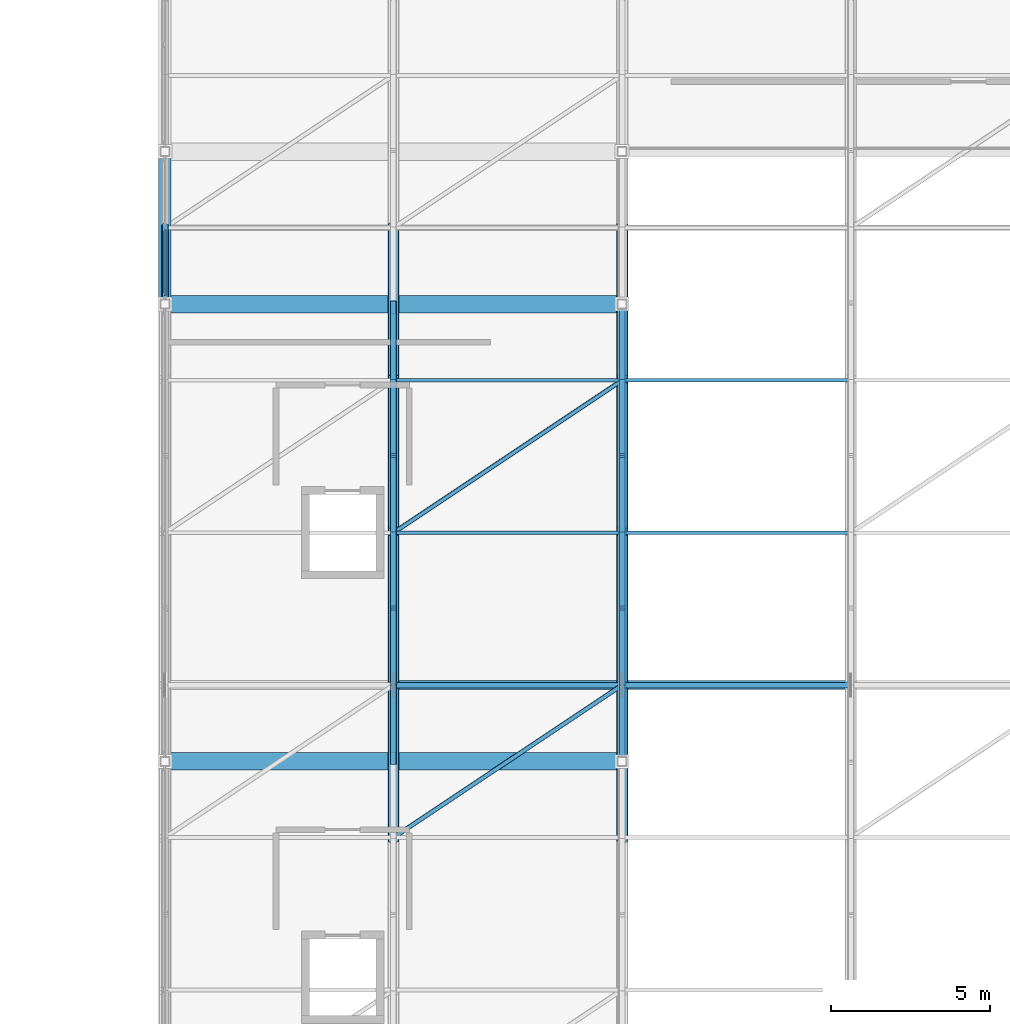
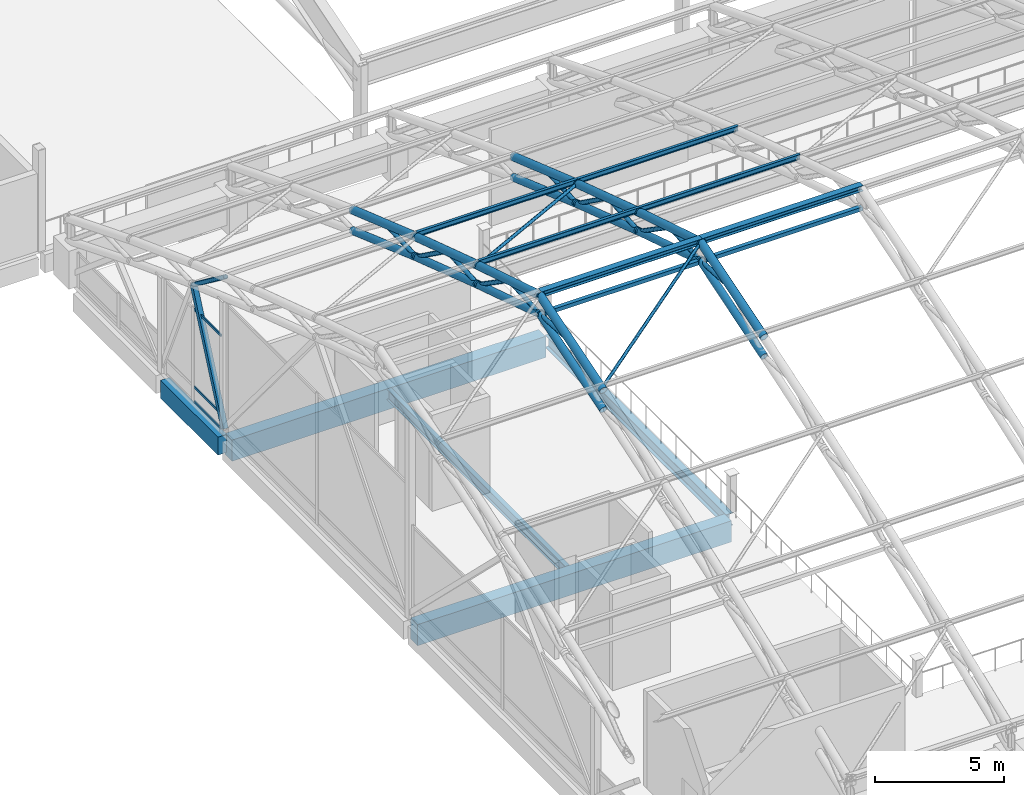
# One storey, part 47 of 116: 43 members, 5 beams, 1 element without a shape of its own.
"""IFC4 building model written with IfcOpenShell, lengths in metres."""

from ifc_helpers import new_model, si_unit, direction, frame, origin, origin_2d, place, context, subcontext, project, spatial, rectangle, hollow_rectangle, hollow_circle, i_section, extrude, material, material_profile, profile_set, type_object, element, aggregate, save


model = new_model("IFC4")

# Units and contexts
model_context = context("Model", 3, precision=1e-05, world=origin(), true_north=direction((0.0, 1.0)))
body_context = subcontext(model_context, "Body", "Model", "MODEL_VIEW")
ifc_project = project(units=[si_unit("LENGTHUNIT", "METRE"), si_unit("AREAUNIT", "SQUARE_METRE"), si_unit("VOLUMEUNIT", "CUBIC_METRE"), si_unit("PLANEANGLEUNIT", "RADIAN"), si_unit("MASSUNIT", "GRAM", prefix="KILO")], contexts=[model_context])

# Site, building, storey
site_placement = place(None, origin())
site = spatial("IfcSite", under=ifc_project, at=site_placement, CompositionType="ELEMENT")
building_placement = place(site_placement, origin())
building = spatial("IfcBuilding", under=site, at=building_placement, Name="Cendralis Lancet Convention Centre", CompositionType="ELEMENT")
storey_placement = place(building_placement, frame((0.0, 0.0, 15.0)))
storey = spatial("IfcBuildingStorey", under=building, at=storey_placement, Name="L03", CompositionType="ELEMENT", Elevation=15.0)

# Curtain wall, members
ifc_material_1 = material(Name="Anodised bronze architectural aluminium", Category="aluminium")
curtain_wall_type = type_object("IfcCurtainWallType", Name="ARC-CW-PL02", PredefinedType="USERDEFINED", material=ifc_material_1)
curtain_wall_placement = place(storey_placement, origin())
curtain_wall = element("IfcCurtainWall", 1, at=curtain_wall_placement, inside=storey, type_object=curtain_wall_type, Name="L03 Curtain Wall CW-PL2 #139", ObjectType="CURTAIN WALL", PredefinedType="USERDEFINED")
ifc_material_profile_1 = material_profile(ifc_material_1, hollow_rectangle(XDim=0.06005859375, YDim=0.1201171875, WallThickness=0.00390625, at=origin_2d()), Name="AL-TRAN 60x120x4.0")
ifc_profile_set_1 = profile_set([ifc_material_profile_1], Name="Anodised bronze architectural aluminium")
member_type_1 = type_object("IfcMemberType", Name="ARC-CW-TR01", PredefinedType="USERDEFINED", material=ifc_profile_set_1)
member_1_placement = place(storey_placement, frame((139.199951171875, 79.469970703125, 0.06005859375), z_axis=(0.0, 1.0, 0.0), x_axis=(-1.0, 0.0, 0.0)))
member_1 = element("IfcMember", 2, at=member_1_placement, type_object=member_type_1, Name="Transom CW2-CW-PL2-L03-139-T0BOT", ObjectType="TRANSOM", PredefinedType="USERDEFINED", context=body_context, shape_type="SweptSolid", body=[
    extrude(hollow_rectangle(XDim=0.06005859375, YDim=0.1201171875, WallThickness=0.00390625, at=origin_2d()), origin(), (0.0, 0.0, 1.0), 2.06005859375),
])
member_2_placement = place(storey_placement, frame((139.199951171875, 79.469970703125, 0.75), z_axis=(0.0, 1.0, 0.0), x_axis=(-1.0, 0.0, 0.0)))
member_2 = element("IfcMember", 3, at=member_2_placement, type_object=member_type_1, Name="Transom CW2-CW-PL2-L03-139-T0MID", ObjectType="TRANSOM", PredefinedType="USERDEFINED", context=body_context, shape_type="SweptSolid", body=[
    extrude(hollow_rectangle(XDim=0.06005859375, YDim=0.1201171875, WallThickness=0.00390625, at=origin_2d()), origin(), (0.0, 0.0, 1.0), 2.06005859375),
])
member_3_placement = place(storey_placement, frame((139.199951171875, 79.469970703125, 4.43701171875), z_axis=(0.0, 1.0, 0.0), x_axis=(-1.0, 0.0, 0.0)))
member_3 = element("IfcMember", 4, at=member_3_placement, type_object=member_type_1, Name="Transom CW2-CW-PL2-L03-139-T0TOP", ObjectType="TRANSOM", PredefinedType="USERDEFINED", context=body_context, shape_type="SweptSolid", body=[
    extrude(hollow_rectangle(XDim=0.06005859375, YDim=0.1201171875, WallThickness=0.00390625, at=origin_2d()), origin(), (0.0, 0.0, 1.0), 2.06005859375),
])
aggregate(curtain_wall, [member_1, member_2, member_3])

# Beams
ifc_material_2 = material(Name="Concrete G40 (C40/50)", Category="concrete")
ifc_material_profile_2 = material_profile(ifc_material_2, rectangle(XDim=0.550048828125, YDim=1.0, at=origin_2d()), Name="RCB 550x1000")
ifc_profile_set_2 = profile_set([ifc_material_profile_2], Name="Concrete G40 (C40/50)")
beam_type_1 = type_object("IfcBeamType", Name="STR-BM-BG05", PredefinedType="BEAM", material=ifc_profile_set_2)
for number, where, z_axis, x_axis, name in (
    (5, (139.375, 64.800048828125, -0.760009765625), (1.0, 0.0, 0.0), (0.0, 1.0, 0.0), "L03 Beam BG05 #1525"),
    (6, (139.375, 79.199951171875, -0.760009765625), (1.0, 0.0, 0.0), (0.0, 1.0, 0.0), "L03 Beam BG05 #1527"),
):
    element("IfcBeam", number, at=place(storey_placement, frame(where, z_axis=z_axis, x_axis=x_axis)), inside=storey, type_object=beam_type_1, Name=name, PredefinedType="BEAM", context=body_context, shape_type="SweptSolid", body=[
        extrude(rectangle(XDim=0.550048828125, YDim=1.0, at=origin_2d()), origin(), (0.0, 0.0, 1.0), 14.050048828125),
    ])
ifc_material_3 = material(Name="Steel S355", Category="steel")
ifc_material_profile_3 = material_profile(ifc_material_3, i_section(OverallWidth=0.300048828125, OverallDepth=0.590087890625, WebThickness=0.012939453125, FlangeThickness=0.02490234375, FilletRadius=0.027099609375, at=origin_2d()), Name="HEA 600")
ifc_profile_set_3 = profile_set([ifc_material_profile_3], Name="Steel S355")
beam_type_2 = type_object("IfcBeamType", Name="STR-BM-SG10", PredefinedType="BEAM", material=ifc_profile_set_3)
beam_1_placement = place(storey_placement, frame((153.60009765625, 64.97509765625, -0.554931640625), z_axis=(0.0, 1.0, 0.0), x_axis=(-1.0, 0.0, 0.0)))
element("IfcBeam", 7, at=beam_1_placement, inside=storey, type_object=beam_type_2, Name="L03 Beam SG10 #1539", PredefinedType="BEAM", context=body_context, shape_type="SweptSolid", body=[
    extrude(i_section(OverallWidth=0.300048828125, OverallDepth=0.590087890625, WebThickness=0.012939453125, FlangeThickness=0.02490234375, FilletRadius=0.027099609375, at=origin_2d()), origin(), (0.0, 0.0, 1.0), 14.0498046875),
])

# Members
ifc_material_profile_4 = material_profile(ifc_material_3, hollow_rectangle(XDim=0.219970703125, YDim=0.219970703125, WallThickness=0.012451171875, at=origin_2d()), Name="SHS 220x220x12.5")
ifc_profile_set_4 = profile_set([ifc_material_profile_4], Name="Steel S355")
member_type_2 = type_object("IfcMemberType", Name="STR-BR-GB02", PredefinedType="BRACE", material=ifc_profile_set_4)
member_4_placement = place(storey_placement, frame((139.199951171875, 79.199951171875, 0.199951171875), z_axis=(0.0, 0.4089424352, 0.912560181409), x_axis=(-1.0, 0.0, 0.0)))
element("IfcMember", 8, at=member_4_placement, inside=storey, type_object=member_type_2, Name="Plenary Gable Gothic Ogival Tracery Rib GBR2 #067", PredefinedType="BRACE", context=body_context, shape_type="SweptSolid", body=[
    extrude(hollow_rectangle(XDim=0.219970703125, YDim=0.219970703125, WallThickness=0.012451171875, at=origin_2d()), origin(), (0.0, 0.0, 1.0), 5.869140625),
])
ifc_material_profile_5 = material_profile(ifc_material_3, hollow_circle(Radius=0.06982421875, WallThickness=0.00634765625, at=origin_2d()), Name="CHS 139.7x6.3")
ifc_profile_set_5 = profile_set([ifc_material_profile_5], Name="Steel S355")
member_type_3 = type_object("IfcMemberType", Name="STR-BR-RB02", PredefinedType="BRACE", material=ifc_profile_set_5)
member_5_placement = place(storey_placement, frame((146.39990234375, 62.39990234375, 9.7666015625), z_axis=(0.820092525975, 0.546719081554, 0.168957079473), x_axis=(-0.554693685541, 0.832054634757, 0.0)))
element("IfcMember", 9, at=member_5_placement, inside=storey, type_object=member_type_3, Name="Roof Diaphragm Brace RB02 V2-01-04A", PredefinedType="BRACE", context=body_context, shape_type="SweptSolid", body=[
    extrude(hollow_circle(Radius=0.06982421875, WallThickness=0.00634765625, at=origin_2d()), origin(), (0.0, 0.0, 1.0), 8.77978515625),
])
member_6_placement = place(storey_placement, frame((146.39990234375, 72.0, 9.7666015625), z_axis=(0.818789622297, 0.545850493828, -0.177850478789), x_axis=(-0.554693685541, 0.832054634757, 0.0)))
element("IfcMember", 10, at=member_6_placement, inside=storey, type_object=member_type_3, Name="Roof Diaphragm Brace RB02 V2-01-06A", PredefinedType="BRACE", context=body_context, shape_type="SweptSolid", body=[
    extrude(hollow_circle(Radius=0.06982421875, WallThickness=0.00634765625, at=origin_2d()), origin(), (0.0, 0.0, 1.0), 8.793701171875),
])
ifc_material_profile_6 = material_profile(ifc_material_3, hollow_rectangle(XDim=0.179931640625, YDim=0.179931640625, WallThickness=0.010009765625, at=origin_2d()), Name="SHS 180x180x10.0")
ifc_profile_set_6 = profile_set([ifc_material_profile_6], Name="Steel S355")
member_type_4 = type_object("IfcMemberType", Name="STR-BR-ST02", PredefinedType="STRUT", material=ifc_profile_set_6)
member_7_placement = place(storey_placement, frame((146.39990234375, 67.199951171875, 10.367919921875), z_axis=(1.0, 0.0, 0.0), x_axis=(0.0, 1.0, 0.0)))
element("IfcMember", 11, at=member_7_placement, inside=storey, type_object=member_type_4, Name="Arch Tie Strut ST02 V2-01-05", PredefinedType="STRUT", context=body_context, shape_type="SweptSolid", body=[
    extrude(hollow_rectangle(XDim=0.179931640625, YDim=0.179931640625, WallThickness=0.010009765625, at=origin_2d()), origin(), (0.0, 0.0, 1.0), 7.2001953125),
])
member_8_placement = place(storey_placement, frame((153.60009765625, 67.199951171875, 10.367919921875), z_axis=(1.0, 0.0, 0.0), x_axis=(0.0, 1.0, 0.0)))
element("IfcMember", 12, at=member_8_placement, inside=storey, type_object=member_type_4, Name="Arch Tie Strut ST02 V2-02-05", PredefinedType="STRUT", context=body_context, shape_type="SweptSolid", body=[
    extrude(hollow_rectangle(XDim=0.179931640625, YDim=0.179931640625, WallThickness=0.010009765625, at=origin_2d()), origin(), (0.0, 0.0, 1.0), 7.199951171875),
])

# Beam
ifc_material_profile_7 = material_profile(ifc_material_3, i_section(OverallWidth=0.199951171875, OverallDepth=0.5, WebThickness=0.01025390625, FlangeThickness=0.01611328125, FilletRadius=0.02099609375, at=origin_2d()), Name="IPE 500")
ifc_profile_set_7 = profile_set([ifc_material_profile_7], Name="Steel S355")
beam_type_3 = type_object("IfcBeamType", Name="STR-JS-BJ06", PredefinedType="JOIST", material=ifc_profile_set_7)
beam_2_placement = place(storey_placement, frame((146.39990234375, 65.074951171875, -0.510009765625), z_axis=(0.0, 1.0, 0.0), x_axis=(-1.0, 0.0, 0.0)))
element("IfcBeam", 13, at=beam_2_placement, inside=storey, type_object=beam_type_3, Name="L03 Beam BJ06 #1553", PredefinedType="JOIST", context=body_context, shape_type="SweptSolid", body=[
    extrude(i_section(OverallWidth=0.199951171875, OverallDepth=0.5, WebThickness=0.01025390625, FlangeThickness=0.01611328125, FilletRadius=0.02099609375, at=origin_2d()), origin(), (0.0, 0.0, 1.0), 13.85009765625),
])

# Members
ifc_material_profile_8 = material_profile(ifc_material_3, i_section(OverallWidth=0.1201171875, OverallDepth=0.239990234375, WebThickness=0.006103515625, FlangeThickness=0.009765625, FilletRadius=0.014892578125, at=origin_2d()), Name="IPE 240")
ifc_profile_set_8 = profile_set([ifc_material_profile_8], Name="Steel S355")
member_type_5 = type_object("IfcMemberType", Name="STR-PR-PR02", PredefinedType="PURLIN", material=ifc_profile_set_8)
for number, where, z_axis, x_axis, name in (
    (14, (146.39990234375, 72.0, 9.896484375), (1.0, 0.0, 0.0), (0.0, 1.0, 0.0), "Vault Roof Purlin PR02 V2-01-06"),
    (15, (146.39990234375, 76.800048828125, 8.332763671875), (1.0, 0.0, 0.0), (0.0, 1.0, 0.0), "Vault Roof Purlin PR02 V2-01-07"),
):
    element("IfcMember", number, at=place(storey_placement, frame(where, z_axis=z_axis, x_axis=x_axis)), inside=storey, type_object=member_type_5, Name=name, PredefinedType="PURLIN", context=body_context, shape_type="SweptSolid", body=[
        extrude(i_section(OverallWidth=0.1201171875, OverallDepth=0.239990234375, WebThickness=0.006103515625, FlangeThickness=0.009765625, FilletRadius=0.014892578125, at=origin_2d()), origin(), (0.0, 0.0, 1.0), 7.2001953125),
    ])
for number, where, z_axis, x_axis, name in (
    (16, (153.60009765625, 72.0, 9.896484375), (1.0, 0.0, 0.0), (0.0, 1.0, 0.0), "Vault Roof Purlin PR02 V2-02-06"),
    (17, (153.60009765625, 76.800048828125, 8.332763671875), (1.0, 0.0, 0.0), (0.0, 1.0, 0.0), "Vault Roof Purlin PR02 V2-02-07"),
):
    element("IfcMember", number, at=place(storey_placement, frame(where, z_axis=z_axis, x_axis=x_axis)), inside=storey, type_object=member_type_5, Name=name, PredefinedType="PURLIN", context=body_context, shape_type="SweptSolid", body=[
        extrude(i_section(OverallWidth=0.1201171875, OverallDepth=0.239990234375, WebThickness=0.006103515625, FlangeThickness=0.009765625, FilletRadius=0.014892578125, at=origin_2d()), origin(), (0.0, 0.0, 1.0), 7.199951171875),
    ])
ifc_material_profile_9 = material_profile(ifc_material_3, i_section(OverallWidth=0.280029296875, OverallDepth=0.27001953125, WebThickness=0.008056640625, FlangeThickness=0.012939453125, FilletRadius=0.02392578125, at=origin_2d()), Name="HEA 280")
ifc_profile_set_9 = profile_set([ifc_material_profile_9], Name="Steel S355")
member_type_6 = type_object("IfcMemberType", Name="STR-PR-PR06", PredefinedType="PURLIN", material=ifc_profile_set_9)
member_9_placement = place(storey_placement, frame((146.39990234375, 67.199951171875, 11.364990234375), z_axis=(1.0, 0.0, 0.0), x_axis=(0.0, 1.0, 0.0)))
element("IfcMember", 18, at=member_9_placement, inside=storey, type_object=member_type_6, Name="Vault Roof Purlin PR06 V2-01-05", PredefinedType="PURLIN", context=body_context, shape_type="SweptSolid", body=[
    extrude(i_section(OverallWidth=0.280029296875, OverallDepth=0.27001953125, WebThickness=0.008056640625, FlangeThickness=0.012939453125, FilletRadius=0.02392578125, at=origin_2d()), origin(), (0.0, 0.0, 1.0), 7.2001953125),
])
member_10_placement = place(storey_placement, frame((153.60009765625, 67.199951171875, 11.364990234375), z_axis=(1.0, 0.0, 0.0), x_axis=(0.0, 1.0, 0.0)))
element("IfcMember", 19, at=member_10_placement, inside=storey, type_object=member_type_6, Name="Vault Roof Purlin PR06 V2-02-05", PredefinedType="PURLIN", context=body_context, shape_type="SweptSolid", body=[
    extrude(i_section(OverallWidth=0.280029296875, OverallDepth=0.27001953125, WebThickness=0.008056640625, FlangeThickness=0.012939453125, FilletRadius=0.02392578125, at=origin_2d()), origin(), (0.0, 0.0, 1.0), 7.199951171875),
])

# Beam
ifc_material_profile_10 = material_profile(ifc_material_2, rectangle(XDim=0.39990234375, YDim=0.85009765625, at=origin_2d()), Name="RCB 400x850")
ifc_profile_set_10 = profile_set([ifc_material_profile_10], Name="Concrete G40 (C40/50)")
beam_type_4 = type_object("IfcBeamType", Name="STR-SP-SP02", PredefinedType="SPANDREL", material=ifc_profile_set_10)
beam_3_placement = place(storey_placement, frame((139.199951171875, 79.375, -0.68505859375), z_axis=(0.0, 1.0, 0.0), x_axis=(-1.0, 0.0, 0.0)))
element("IfcBeam", 20, at=beam_3_placement, inside=storey, type_object=beam_type_4, Name="L03 Beam SP02 #1535", PredefinedType="SPANDREL", context=body_context, shape_type="SweptSolid", body=[
    extrude(rectangle(XDim=0.39990234375, YDim=0.85009765625, at=origin_2d()), origin(), (0.0, 0.0, 1.0), 4.449951171875),
])

# Members
ifc_material_profile_11 = material_profile(ifc_material_3, hollow_circle(Radius=0.161865234375, WallThickness=0.01416015625, at=origin_2d()), Name="CHS 323.9x14.2")
ifc_profile_set_11 = profile_set([ifc_material_profile_11], Name="Steel S355")
member_type_7 = type_object("IfcMemberType", Name="STR-TR-BC02-INT", PredefinedType="CHORD", material=ifc_profile_set_11)
for number, where, z_axis, x_axis, name in (
    (21, (146.39990234375, 62.28564453125, 8.814697265625), (0.0, 0.953497974751, 0.301399422935), (-1.0, 0.0, 0.0), "ROOF TRUSS AT-V2-02 Bottom Chord 04"),
    (22, (146.39990234375, 67.085693359375, 10.404296875), (0.0, 0.953497974751, -0.301399422935), (-1.0, 0.0, 0.0), "ROOF TRUSS AT-V2-02 Bottom Chord 05"),
):
    element("IfcMember", number, at=place(storey_placement, frame(where, z_axis=z_axis, x_axis=x_axis)), inside=storey, type_object=member_type_7, Name=name, PredefinedType="CHORD", context=body_context, shape_type="SweptSolid", body=[
        extrude(hollow_circle(Radius=0.161865234375, WallThickness=0.01416015625, at=origin_2d()), origin(), (0.0, 0.0, 1.0), 5.274169921875),
    ])
member_11_placement = place(storey_placement, frame((146.39990234375, 71.885986328125, 8.888916015625), z_axis=(0.0, 0.948830629051, -0.315785429325), x_axis=(-1.0, 0.0, 0.0)))
element("IfcMember", 23, at=member_11_placement, inside=storey, type_object=member_type_7, Name="ROOF TRUSS AT-V2-02 Bottom Chord 06", PredefinedType="CHORD", context=body_context, shape_type="SweptSolid", body=[
    extrude(hollow_circle(Radius=0.161865234375, WallThickness=0.01416015625, at=origin_2d()), origin(), (0.0, 0.0, 1.0), 5.299072265625),
])
member_12_placement = place(storey_placement, frame((146.39990234375, 76.68701171875, 7.29345703125), z_axis=(0.0, 0.942788943503, -0.333390173833), x_axis=(-1.0, 0.0, 0.0)))
element("IfcMember", 24, at=member_12_placement, inside=storey, type_object=member_type_7, Name="ROOF TRUSS AT-V2-02 Bottom Chord 07", PredefinedType="CHORD", context=body_context, shape_type="SweptSolid", body=[
    extrude(hollow_circle(Radius=0.161865234375, WallThickness=0.01416015625, at=origin_2d()), origin(), (0.0, 0.0, 1.0), 5.3310546875),
])
for number, where, z_axis, x_axis, name in (
    (25, (153.60009765625, 62.28564453125, 8.814697265625), (0.0, 0.953497974751, 0.301399422935), (-1.0, 0.0, 0.0), "ROOF TRUSS AT-V2-03 Bottom Chord 04"),
    (26, (153.60009765625, 67.085693359375, 10.404296875), (0.0, 0.953497974751, -0.301399422935), (-1.0, 0.0, 0.0), "ROOF TRUSS AT-V2-03 Bottom Chord 05"),
):
    element("IfcMember", number, at=place(storey_placement, frame(where, z_axis=z_axis, x_axis=x_axis)), inside=storey, type_object=member_type_7, Name=name, PredefinedType="CHORD", context=body_context, shape_type="SweptSolid", body=[
        extrude(hollow_circle(Radius=0.161865234375, WallThickness=0.01416015625, at=origin_2d()), origin(), (0.0, 0.0, 1.0), 5.274169921875),
    ])
member_13_placement = place(storey_placement, frame((153.60009765625, 71.885986328125, 8.888916015625), z_axis=(0.0, 0.948830629051, -0.315785429325), x_axis=(-1.0, 0.0, 0.0)))
element("IfcMember", 27, at=member_13_placement, inside=storey, type_object=member_type_7, Name="ROOF TRUSS AT-V2-03 Bottom Chord 06", PredefinedType="CHORD", context=body_context, shape_type="SweptSolid", body=[
    extrude(hollow_circle(Radius=0.161865234375, WallThickness=0.01416015625, at=origin_2d()), origin(), (0.0, 0.0, 1.0), 5.299072265625),
])
member_14_placement = place(storey_placement, frame((153.60009765625, 76.68701171875, 7.29345703125), z_axis=(0.0, 0.942788943503, -0.333390173833), x_axis=(-1.0, 0.0, 0.0)))
element("IfcMember", 28, at=member_14_placement, inside=storey, type_object=member_type_7, Name="ROOF TRUSS AT-V2-03 Bottom Chord 07", PredefinedType="CHORD", context=body_context, shape_type="SweptSolid", body=[
    extrude(hollow_circle(Radius=0.161865234375, WallThickness=0.01416015625, at=origin_2d()), origin(), (0.0, 0.0, 1.0), 5.3310546875),
])
ifc_material_profile_12 = material_profile(ifc_material_3, hollow_circle(Radius=0.177734375, WallThickness=0.01611328125, at=origin_2d()), Name="CHS 355.6x16.0")
ifc_profile_set_12 = profile_set([ifc_material_profile_12], Name="Steel S355")
member_type_8 = type_object("IfcMemberType", Name="STR-TR-TC02-INT", PredefinedType="CHORD", material=ifc_profile_set_12)
member_15_placement = place(storey_placement, frame((146.39990234375, 62.285400390625, 9.731201171875), z_axis=(0.0, 0.955419293566, 0.295252389458), x_axis=(-1.0, 0.0, 0.0)))
element("IfcMember", 29, at=member_15_placement, inside=storey, type_object=member_type_8, Name="ROOF TRUSS AT-V2-02 Top Chord 04", PredefinedType="CHORD", context=body_context, shape_type="SweptSolid", body=[
    extrude(hollow_circle(Radius=0.177734375, WallThickness=0.01611328125, at=origin_2d()), origin(), (0.0, 0.0, 1.0), 5.263916015625),
])
member_16_placement = place(storey_placement, frame((146.39990234375, 67.08544921875, 11.285400390625), z_axis=(0.0, 0.955415250206, -0.295265473218), x_axis=(-1.0, 0.0, 0.0)))
element("IfcMember", 30, at=member_16_placement, inside=storey, type_object=member_type_8, Name="ROOF TRUSS AT-V2-02 Top Chord 05", PredefinedType="CHORD", context=body_context, shape_type="SweptSolid", body=[
    extrude(hollow_circle(Radius=0.177734375, WallThickness=0.01611328125, at=origin_2d()), origin(), (0.0, 0.0, 1.0), 5.263671875),
])
member_17_placement = place(storey_placement, frame((146.39990234375, 71.885986328125, 9.8037109375), z_axis=(0.0, 0.950808200203, -0.309780190501), x_axis=(-1.0, 0.0, 0.0)))
element("IfcMember", 31, at=member_17_placement, inside=storey, type_object=member_type_8, Name="ROOF TRUSS AT-V2-02 Top Chord 06", PredefinedType="CHORD", context=body_context, shape_type="SweptSolid", body=[
    extrude(hollow_circle(Radius=0.177734375, WallThickness=0.01611328125, at=origin_2d()), origin(), (0.0, 0.0, 1.0), 5.288330078125),
])
member_18_placement = place(storey_placement, frame((146.39990234375, 76.6865234375, 8.241943359375), z_axis=(0.0, 0.944848505706, -0.327507711764), x_axis=(-1.0, 0.0, 0.0)))
element("IfcMember", 32, at=member_18_placement, inside=storey, type_object=member_type_8, Name="ROOF TRUSS AT-V2-02 Top Chord 07", PredefinedType="CHORD", context=body_context, shape_type="SweptSolid", body=[
    extrude(hollow_circle(Radius=0.177734375, WallThickness=0.01611328125, at=origin_2d()), origin(), (0.0, 0.0, 1.0), 5.3203125),
])
member_19_placement = place(storey_placement, frame((153.60009765625, 62.285400390625, 9.731201171875), z_axis=(0.0, 0.955419293566, 0.295252389458), x_axis=(-1.0, 0.0, 0.0)))
element("IfcMember", 33, at=member_19_placement, inside=storey, type_object=member_type_8, Name="ROOF TRUSS AT-V2-03 Top Chord 04", PredefinedType="CHORD", context=body_context, shape_type="SweptSolid", body=[
    extrude(hollow_circle(Radius=0.177734375, WallThickness=0.01611328125, at=origin_2d()), origin(), (0.0, 0.0, 1.0), 5.263916015625),
])
member_20_placement = place(storey_placement, frame((153.60009765625, 67.08544921875, 11.285400390625), z_axis=(0.0, 0.955415250206, -0.295265473218), x_axis=(-1.0, 0.0, 0.0)))
element("IfcMember", 34, at=member_20_placement, inside=storey, type_object=member_type_8, Name="ROOF TRUSS AT-V2-03 Top Chord 05", PredefinedType="CHORD", context=body_context, shape_type="SweptSolid", body=[
    extrude(hollow_circle(Radius=0.177734375, WallThickness=0.01611328125, at=origin_2d()), origin(), (0.0, 0.0, 1.0), 5.263671875),
])
member_21_placement = place(storey_placement, frame((153.60009765625, 71.885986328125, 9.8037109375), z_axis=(0.0, 0.950808200203, -0.309780190501), x_axis=(-1.0, 0.0, 0.0)))
element("IfcMember", 35, at=member_21_placement, inside=storey, type_object=member_type_8, Name="ROOF TRUSS AT-V2-03 Top Chord 06", PredefinedType="CHORD", context=body_context, shape_type="SweptSolid", body=[
    extrude(hollow_circle(Radius=0.177734375, WallThickness=0.01611328125, at=origin_2d()), origin(), (0.0, 0.0, 1.0), 5.288330078125),
])
member_22_placement = place(storey_placement, frame((153.60009765625, 76.6865234375, 8.241943359375), z_axis=(0.0, 0.944848505706, -0.327507711764), x_axis=(-1.0, 0.0, 0.0)))
element("IfcMember", 36, at=member_22_placement, inside=storey, type_object=member_type_8, Name="ROOF TRUSS AT-V2-03 Top Chord 07", PredefinedType="CHORD", context=body_context, shape_type="SweptSolid", body=[
    extrude(hollow_circle(Radius=0.177734375, WallThickness=0.01611328125, at=origin_2d()), origin(), (0.0, 0.0, 1.0), 5.3203125),
])
ifc_material_profile_13 = material_profile(ifc_material_3, hollow_circle(Radius=0.096923828125, WallThickness=0.008056640625, at=origin_2d()), Name="CHS 193.7x8.0")
ifc_profile_set_13 = profile_set([ifc_material_profile_13], Name="Steel S355")
member_type_9 = type_object("IfcMemberType", Name="STR-TR-WD02", PredefinedType="BRACE", material=ifc_profile_set_13)
member_23_placement = place(storey_placement, frame((139.199951171875, 79.1201171875, 7.43115234375), z_axis=(0.0, 0.797620051478, -0.603160222064), x_axis=(-1.0, 0.0, 0.0)))
element("IfcMember", 37, at=member_23_placement, inside=storey, type_object=member_type_9, Name="ROOF TRUSS AT-V2-01 Warren Web 07-1", PredefinedType="BRACE", context=body_context, shape_type="SweptSolid", body=[
    extrude(hollow_circle(Radius=0.096923828125, WallThickness=0.008056640625, at=origin_2d()), origin(), (0.0, 0.0, 1.0), 3.208984375),
])
ifc_material_profile_14 = material_profile(ifc_material_3, hollow_circle(Radius=0.096923828125, WallThickness=0.008056640625, at=origin_2d()), Name="CHS 193.7x8.0")
ifc_profile_set_14 = profile_set([ifc_material_profile_14], Name="Steel S355")
member_type_10 = type_object("IfcMemberType", Name="STR-TR-WD02-INT", PredefinedType="BRACE", material=ifc_profile_set_14)
for number, where, z_axis, x_axis, name in (
    (38, (146.39990234375, 64.7001953125, 10.51416015625), (0.0, 0.998298213899, -0.058315316402), (-1.0, 0.0, 0.0), "ROOF TRUSS AT-V2-02 Warren Web 04-1"),
    (39, (146.39990234375, 67.10009765625, 10.3623046875), (0.0, 0.998298213899, 0.058315316402), (-1.0, 0.0, 0.0), "ROOF TRUSS AT-V2-02 Warren Web 05-0"),
):
    element("IfcMember", number, at=place(storey_placement, frame(where, z_axis=z_axis, x_axis=x_axis)), inside=storey, type_object=member_type_10, Name=name, PredefinedType="BRACE", context=body_context, shape_type="SweptSolid", body=[
        extrude(hollow_circle(Radius=0.096923828125, WallThickness=0.008056640625, at=origin_2d()), origin(), (0.0, 0.0, 1.0), 2.60400390625),
    ])
member_24_placement = place(storey_placement, frame((146.39990234375, 69.517578125, 10.565185546875), z_axis=(0.0, 0.822876843509, -0.56821976419), x_axis=(-1.0, 0.0, 0.0)))
element("IfcMember", 40, at=member_24_placement, inside=storey, type_object=member_type_10, Name="ROOF TRUSS AT-V2-02 Warren Web 05-1", PredefinedType="BRACE", context=body_context, shape_type="SweptSolid", body=[
    extrude(hollow_circle(Radius=0.096923828125, WallThickness=0.008056640625, at=origin_2d()), origin(), (0.0, 0.0, 1.0), 3.11669921875),
])
member_25_placement = place(storey_placement, frame((146.39990234375, 71.900146484375, 8.84521484375), z_axis=(0.0, 0.998447632237, 0.055698524939), x_axis=(-1.0, 0.0, 0.0)))
element("IfcMember", 41, at=member_25_placement, inside=storey, type_object=member_type_10, Name="ROOF TRUSS AT-V2-02 Warren Web 06-0", PredefinedType="BRACE", context=body_context, shape_type="SweptSolid", body=[
    extrude(hollow_circle(Radius=0.096923828125, WallThickness=0.008056640625, at=origin_2d()), origin(), (0.0, 0.0, 1.0), 2.603759765625),
])
member_26_placement = place(storey_placement, frame((146.39990234375, 74.31884765625, 9.043212890625), z_axis=(0.0, 0.811035686786, -0.584996679273), x_axis=(-1.0, 0.0, 0.0)))
element("IfcMember", 42, at=member_26_placement, inside=storey, type_object=member_type_10, Name="ROOF TRUSS AT-V2-02 Warren Web 06-1", PredefinedType="BRACE", context=body_context, shape_type="SweptSolid", body=[
    extrude(hollow_circle(Radius=0.096923828125, WallThickness=0.008056640625, at=origin_2d()), origin(), (0.0, 0.0, 1.0), 3.1591796875),
])
member_27_placement = place(storey_placement, frame((146.39990234375, 76.7001953125, 7.24853515625), z_axis=(0.0, 0.998805103147, 0.048870910851), x_axis=(-1.0, 0.0, 0.0)))
element("IfcMember", 43, at=member_27_placement, inside=storey, type_object=member_type_10, Name="ROOF TRUSS AT-V2-02 Warren Web 07-0", PredefinedType="BRACE", context=body_context, shape_type="SweptSolid", body=[
    extrude(hollow_circle(Radius=0.096923828125, WallThickness=0.008056640625, at=origin_2d()), origin(), (0.0, 0.0, 1.0), 2.602783203125),
])
for number, where, z_axis, x_axis, name in (
    (44, (153.60009765625, 64.7001953125, 10.51416015625), (0.0, 0.998298213899, -0.058315316402), (-1.0, 0.0, 0.0), "ROOF TRUSS AT-V2-03 Warren Web 04-1"),
    (45, (153.60009765625, 67.10009765625, 10.3623046875), (0.0, 0.998298213899, 0.058315316402), (-1.0, 0.0, 0.0), "ROOF TRUSS AT-V2-03 Warren Web 05-0"),
):
    element("IfcMember", number, at=place(storey_placement, frame(where, z_axis=z_axis, x_axis=x_axis)), inside=storey, type_object=member_type_10, Name=name, PredefinedType="BRACE", context=body_context, shape_type="SweptSolid", body=[
        extrude(hollow_circle(Radius=0.096923828125, WallThickness=0.008056640625, at=origin_2d()), origin(), (0.0, 0.0, 1.0), 2.60400390625),
    ])
member_28_placement = place(storey_placement, frame((153.60009765625, 69.517578125, 10.565185546875), z_axis=(0.0, 0.822876843509, -0.56821976419), x_axis=(-1.0, 0.0, 0.0)))
element("IfcMember", 46, at=member_28_placement, inside=storey, type_object=member_type_10, Name="ROOF TRUSS AT-V2-03 Warren Web 05-1", PredefinedType="BRACE", context=body_context, shape_type="SweptSolid", body=[
    extrude(hollow_circle(Radius=0.096923828125, WallThickness=0.008056640625, at=origin_2d()), origin(), (0.0, 0.0, 1.0), 3.11669921875),
])
member_29_placement = place(storey_placement, frame((153.60009765625, 71.900146484375, 8.84521484375), z_axis=(0.0, 0.998447632237, 0.055698524939), x_axis=(-1.0, 0.0, 0.0)))
element("IfcMember", 47, at=member_29_placement, inside=storey, type_object=member_type_10, Name="ROOF TRUSS AT-V2-03 Warren Web 06-0", PredefinedType="BRACE", context=body_context, shape_type="SweptSolid", body=[
    extrude(hollow_circle(Radius=0.096923828125, WallThickness=0.008056640625, at=origin_2d()), origin(), (0.0, 0.0, 1.0), 2.603759765625),
])
member_30_placement = place(storey_placement, frame((153.60009765625, 74.31884765625, 9.043212890625), z_axis=(0.0, 0.811035686786, -0.584996679273), x_axis=(-1.0, 0.0, 0.0)))
element("IfcMember", 48, at=member_30_placement, inside=storey, type_object=member_type_10, Name="ROOF TRUSS AT-V2-03 Warren Web 06-1", PredefinedType="BRACE", context=body_context, shape_type="SweptSolid", body=[
    extrude(hollow_circle(Radius=0.096923828125, WallThickness=0.008056640625, at=origin_2d()), origin(), (0.0, 0.0, 1.0), 3.1591796875),
])
member_31_placement = place(storey_placement, frame((153.60009765625, 76.7001953125, 7.24853515625), z_axis=(0.0, 0.998805103147, 0.048870910851), x_axis=(-1.0, 0.0, 0.0)))
element("IfcMember", 49, at=member_31_placement, inside=storey, type_object=member_type_10, Name="ROOF TRUSS AT-V2-03 Warren Web 07-0", PredefinedType="BRACE", context=body_context, shape_type="SweptSolid", body=[
    extrude(hollow_circle(Radius=0.096923828125, WallThickness=0.008056640625, at=origin_2d()), origin(), (0.0, 0.0, 1.0), 2.602783203125),
])

save(model, "model.ifc")
